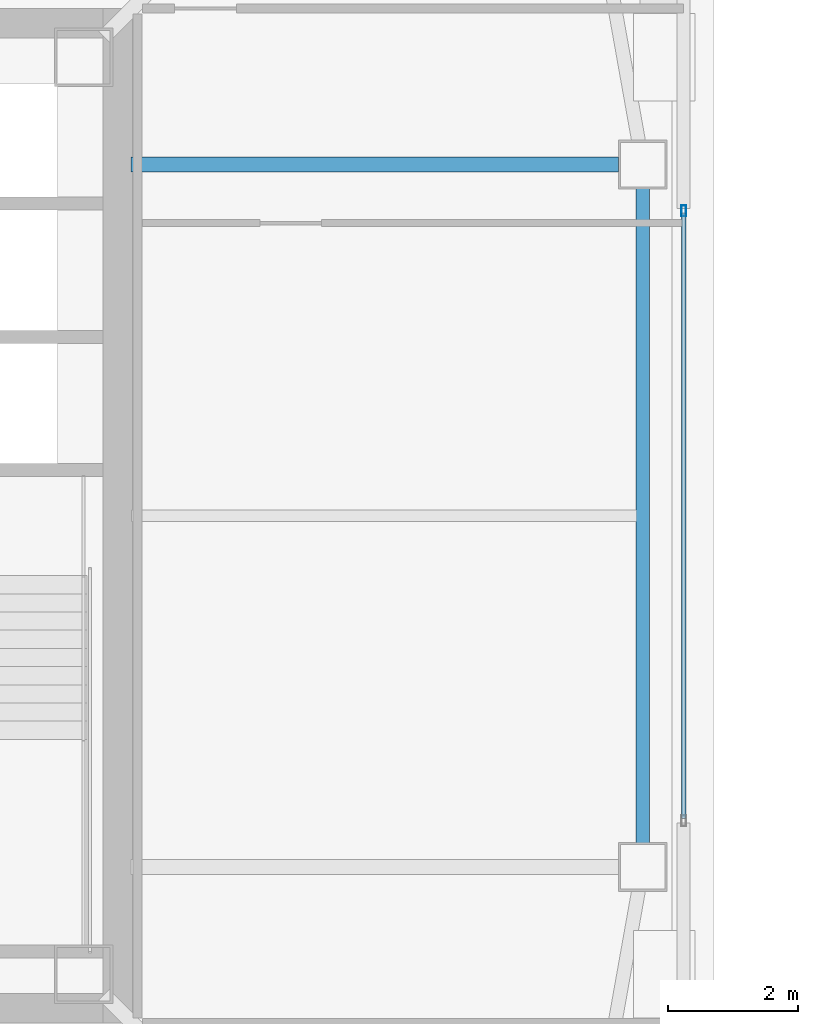
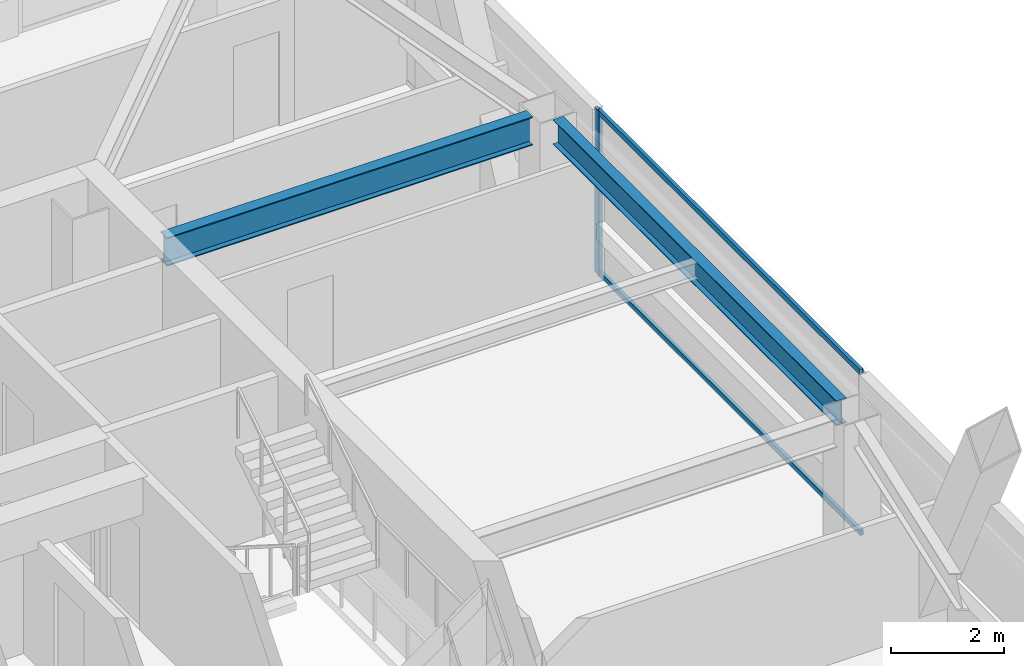
# One storey, part 16 of 56: 3 members, 2 beams, 1 element without a shape of its own.
"""IFC4 building model written with IfcOpenShell, lengths in metres."""

from ifc_helpers import new_model, si_unit, direction, frame, origin, origin_2d, place, context, subcontext, project, spatial, hollow_rectangle, i_section, extrude, material, material_profile, profile_set, type_object, element, aggregate, save


model = new_model("IFC4")

# Units and contexts
model_context = context("Model", 3, precision=1e-05, world=origin(), true_north=direction((0.0, 1.0)))
body_context = subcontext(model_context, "Body", "Model", "MODEL_VIEW")
ifc_project = project(units=[si_unit("LENGTHUNIT", "METRE"), si_unit("AREAUNIT", "SQUARE_METRE"), si_unit("VOLUMEUNIT", "CUBIC_METRE"), si_unit("PLANEANGLEUNIT", "RADIAN"), si_unit("MASSUNIT", "GRAM", prefix="KILO")], contexts=[model_context])

# Site, building, storey
site_placement = place(None, origin())
site = spatial("IfcSite", under=ifc_project, at=site_placement, CompositionType="ELEMENT")
building_placement = place(site_placement, origin())
building = spatial("IfcBuilding", under=site, at=building_placement, Name="Tashvorn Skyway Center", CompositionType="ELEMENT")
storey_placement = place(building_placement, frame((0.0, 0.0, 218.39990234375)))
storey = spatial("IfcBuildingStorey", under=building, at=storey_placement, Name="L59", CompositionType="ELEMENT", Elevation=218.39990234375)

# Beams
ifc_material_1 = material(Name="Steel ASTM A992 Grade 50", Category="steel")
ifc_material_profile_1 = material_profile(ifc_material_1, i_section(OverallWidth=0.22998046875, OverallDepth=0.616943359375, WebThickness=0.01318359375, FlangeThickness=0.022216796875, at=origin_2d()), Name="W24X94")
ifc_profile_set_1 = profile_set([ifc_material_profile_1], Name="Steel ASTM A992 Grade 50")
beam_type_1 = type_object("IfcBeamType", Name="BM-BEAM-W24X94", PredefinedType="BEAM", material=ifc_profile_set_1)
beam_1_placement = place(storey_placement, frame((57.280029296875, 37.39990234375, 3.0615234375), z_axis=(-1.0, 0.0, 0.0), x_axis=(0.0, -1.0, 0.0)))
element("IfcBeam", 1, at=beam_1_placement, inside=storey, type_object=beam_type_1, Name="Tower 1 L59 Primary Floor Girder FC-E2", PredefinedType="BEAM", context=body_context, shape_type="SweptSolid", body=[
    extrude(i_section(OverallWidth=0.22998046875, OverallDepth=0.616943359375, WebThickness=0.01318359375, FlangeThickness=0.022216796875, at=origin_2d()), origin(), (0.0, 0.0, 1.0), 7.5),
])
ifc_material_profile_2 = material_profile(ifc_material_1, i_section(OverallWidth=0.2109375, OverallDepth=0.5390625, WebThickness=0.01171875, FlangeThickness=0.018798828125, at=origin_2d()), Name="W21X73")
ifc_profile_set_2 = profile_set([ifc_material_profile_2], Name="Steel ASTM A992 Grade 50")
beam_type_2 = type_object("IfcBeamType", Name="BM-SPANDREL-W21X73", PredefinedType="SPANDREL", material=ifc_profile_set_2)
beam_2_placement = place(storey_placement, frame((57.64990234375, 26.969970703125, 3.1005859375), z_axis=(0.0, 1.0, 0.0), x_axis=(-1.0, 0.0, 0.0)))
element("IfcBeam", 2, at=beam_2_placement, inside=storey, type_object=beam_type_2, Name="Tower 1 L59 Spandrel Beam 05", PredefinedType="SPANDREL", context=body_context, shape_type="SweptSolid", body=[
    extrude(i_section(OverallWidth=0.2109375, OverallDepth=0.5390625, WebThickness=0.01171875, FlangeThickness=0.018798828125, at=origin_2d()), origin(), (0.0, 0.0, 1.0), 10.06005859375),
])

# Curtain wall, members
ifc_material_2 = material(Name="Thermally broken bronze-anodized aluminium 6063-T6", Category="aluminium")
curtain_wall_type = type_object("IfcCurtainWallType", Name="CW-CW-Z5", PredefinedType="NOTDEFINED", material=ifc_material_2)
curtain_wall_placement = place(storey_placement, origin())
curtain_wall = element("IfcCurtainWall", 3, at=curtain_wall_placement, inside=storey, type_object=curtain_wall_type, Name="Tower 1 L59 East Unitised Curtain Wall Glazing Group 2", PredefinedType="NOTDEFINED")
ifc_material_profile_3 = material_profile(ifc_material_2, hollow_rectangle(XDim=0.070068359375, YDim=0.1650390625, WallThickness=0.00390625, at=origin_2d()), Name="ALU-MULL-70x165")
ifc_profile_set_3 = profile_set([ifc_material_profile_3], Name="Thermally broken bronze-anodized aluminium 6063-T6")
member_type_1 = type_object("IfcMemberType", Name="CWM-CW-Z5", PredefinedType="MULLION", material=ifc_profile_set_3)
member_1_placement = place(storey_placement, frame((58.280029296875, 36.691650390625, 0.0), z_axis=(0.0, 0.0, 1.0), x_axis=(1.0, 0.0, 0.0)))
member_1 = element("IfcMember", 4, at=member_1_placement, type_object=member_type_1, Name="CW-Z5 mullion 1", PredefinedType="MULLION", context=body_context, shape_type="SweptSolid", body=[
    extrude(hollow_rectangle(XDim=0.070068359375, YDim=0.1650390625, WallThickness=0.00390625, at=origin_2d()), origin(), (0.0, 0.0, 1.0), 3.550048828125),
])
ifc_material_profile_4 = material_profile(ifc_material_2, hollow_rectangle(XDim=0.070068359375, YDim=0.114990234375, WallThickness=0.00390625, at=origin_2d()), Name="ALU-TRAN-70x115")
ifc_profile_set_4 = profile_set([ifc_material_profile_4], Name="Thermally broken bronze-anodized aluminium 6063-T6")
member_type_2 = type_object("IfcMemberType", Name="CWT-CW-Z5", PredefinedType="USERDEFINED", material=ifc_profile_set_4)
member_2_placement = place(storey_placement, frame((58.280029296875, 36.65673828125, 0.03515625), z_axis=(0.0, -1.0, 0.0), x_axis=(1.0, 0.0, 0.0)))
member_2 = element("IfcMember", 5, at=member_2_placement, type_object=member_type_2, Name="CW-Z5 transom 1.1", ObjectType="TRANSOM", PredefinedType="USERDEFINED", context=body_context, shape_type="SweptSolid", body=[
    extrude(hollow_rectangle(XDim=0.070068359375, YDim=0.114990234375, WallThickness=0.00390625, at=origin_2d()), origin(), (0.0, 0.0, 1.0), 9.3134765625),
])
member_3_placement = place(storey_placement, frame((58.280029296875, 36.65673828125, 3.51513671875), z_axis=(0.0, -1.0, 0.0), x_axis=(1.0, 0.0, 0.0)))
member_3 = element("IfcMember", 6, at=member_3_placement, type_object=member_type_2, Name="CW-Z5 transom 1.2", ObjectType="TRANSOM", PredefinedType="USERDEFINED", context=body_context, shape_type="SweptSolid", body=[
    extrude(hollow_rectangle(XDim=0.070068359375, YDim=0.114990234375, WallThickness=0.00390625, at=origin_2d()), origin(), (0.0, 0.0, 1.0), 9.3134765625),
])
aggregate(curtain_wall, [member_1, member_2, member_3])

save(model, "model.ifc")
